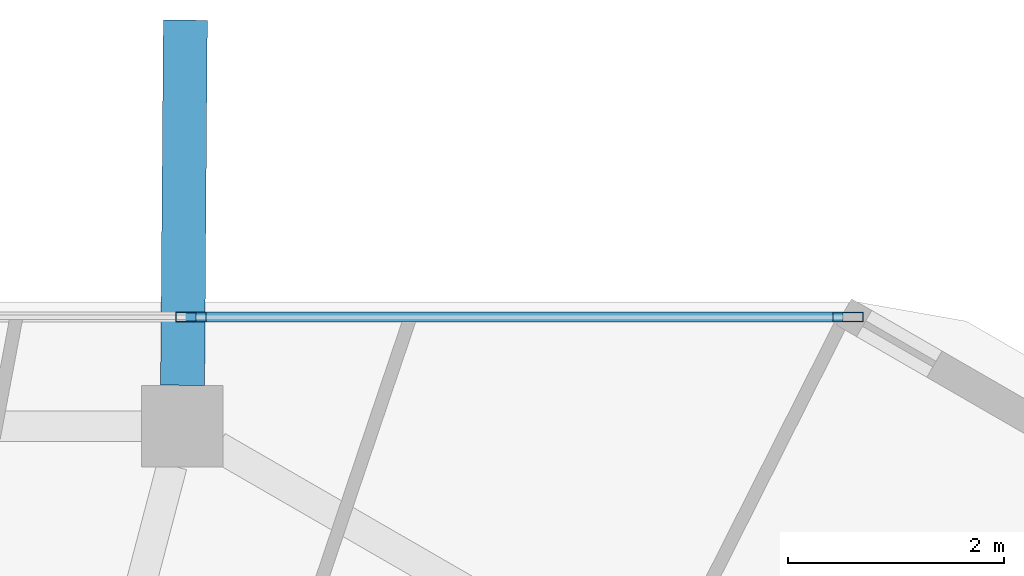
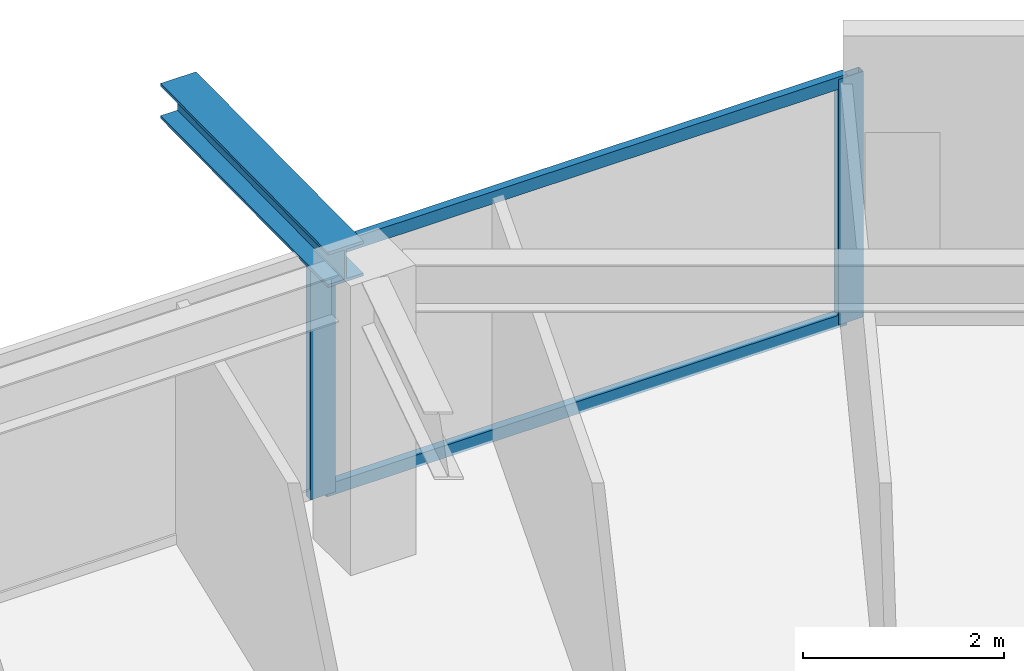
# One storey, part 13 of 23: 4 members, 1 beam, 1 element without a shape of its own.
"""IFC4 building model written with IfcOpenShell, lengths in metres."""

from ifc_helpers import new_model, si_unit, direction, frame, origin, origin_2d, place, context, subcontext, project, spatial, hollow_rectangle, i_section, extrude, material, material_profile, profile_set, type_object, element, aggregate, save


model = new_model("IFC4")

# Units and contexts
model_context = context("Model", 3, precision=1e-05, world=origin(), true_north=direction((0.0, 1.0)))
body_context = subcontext(model_context, "Body", "Model", "MODEL_VIEW")
ifc_project = project(units=[si_unit("LENGTHUNIT", "METRE"), si_unit("AREAUNIT", "SQUARE_METRE"), si_unit("VOLUMEUNIT", "CUBIC_METRE"), si_unit("PLANEANGLEUNIT", "RADIAN"), si_unit("MASSUNIT", "GRAM", prefix="KILO")], contexts=[model_context])

# Site, building, storey
site_placement = place(None, origin())
site = spatial("IfcSite", under=ifc_project, at=site_placement, CompositionType="ELEMENT")
building_placement = place(site_placement, origin())
building = spatial("IfcBuilding", under=site, at=building_placement, Name="Zuhravey Tower", CompositionType="ELEMENT")
storey_placement = place(building_placement, frame((0.0, 0.0, 350.0)))
storey = spatial("IfcBuildingStorey", under=building, at=storey_placement, Name="L89", CompositionType="ELEMENT", Elevation=350.0)

# Curtain wall, members
ifc_material_1 = material(Name="Thermally broken anodised aluminium", Category="aluminium")
curtain_wall_type = type_object("IfcCurtainWallType", Name="Zone 3-4 High-Rise Curtain Wall CW4", PredefinedType="NOTDEFINED", material=ifc_material_1)
curtain_wall_placement = place(storey_placement, origin())
curtain_wall = element("IfcCurtainWall", 1, at=curtain_wall_placement, inside=storey, type_object=curtain_wall_type, Name="L89 CW4 CW-L89-F2-1", PredefinedType="NOTDEFINED")
ifc_material_2 = material(Name="Anodised aluminium", Category="aluminium")
ifc_material_profile_1 = material_profile(ifc_material_2, hollow_rectangle(XDim=0.090087890625, YDim=0.284912109375, WallThickness=0.0048828125, at=origin_2d()), Name="ALU-RHS-90x285x5")
ifc_profile_set_1 = profile_set([ifc_material_profile_1], Name="Anodised aluminium")
member_type_1 = type_object("IfcMemberType", Name="Curtain-Wall Mullion 90x180", PredefinedType="MULLION", material=ifc_profile_set_1)
member_1_placement = place(storey_placement, frame((42.11962890625, 56.07421875, 0.0), z_axis=(0.0, 0.0, 1.0), x_axis=(0.0, 1.0, 0.0)))
member_1 = element("IfcMember", 2, at=member_1_placement, type_object=member_type_1, Name="CW4 mullion 4", PredefinedType="MULLION", context=body_context, shape_type="SweptSolid", body=[
    extrude(hollow_rectangle(XDim=0.090087890625, YDim=0.284912109375, WallThickness=0.0048828125, at=origin_2d()), origin(), (0.0, 0.0, 1.0), 2.987060546875),
])
member_2_placement = place(storey_placement, frame((48.1943359375, 56.07421875, 0.0), z_axis=(0.0, 0.0, 1.0), x_axis=(0.0, 1.0, 0.0)))
member_2 = element("IfcMember", 3, at=member_2_placement, type_object=member_type_1, Name="CW4 mullion 5", PredefinedType="MULLION", context=body_context, shape_type="SweptSolid", body=[
    extrude(hollow_rectangle(XDim=0.090087890625, YDim=0.284912109375, WallThickness=0.0048828125, at=origin_2d()), origin(), (0.0, 0.0, 1.0), 2.987060546875),
])
ifc_material_profile_2 = material_profile(ifc_material_2, hollow_rectangle(XDim=0.090087890625, YDim=0.14990234375, WallThickness=0.0048828125, at=origin_2d()), Name="ALU-RHS-90x150x5")
ifc_profile_set_2 = profile_set([ifc_material_profile_2], Name="Anodised aluminium")
member_type_2 = type_object("IfcMemberType", Name="Curtain-Wall Transom 90x150", PredefinedType="USERDEFINED", material=ifc_profile_set_2)
member_3_placement = place(storey_placement, frame((42.16455078125, 56.07421875, 0.044921875), z_axis=(1.0, 0.0, 0.0), x_axis=(0.0, 1.0, 0.0)))
member_3 = element("IfcMember", 4, at=member_3_placement, type_object=member_type_2, Name="CW4 transom 4.1", ObjectType="TRANSOM", PredefinedType="USERDEFINED", context=body_context, shape_type="SweptSolid", body=[
    extrude(hollow_rectangle(XDim=0.090087890625, YDim=0.14990234375, WallThickness=0.0048828125, at=origin_2d()), origin(), (0.0, 0.0, 1.0), 5.98486328125),
])
member_4_placement = place(storey_placement, frame((42.16455078125, 56.07421875, 2.94189453125), z_axis=(1.0, 0.0, 0.0), x_axis=(0.0, 1.0, 0.0)))
member_4 = element("IfcMember", 5, at=member_4_placement, type_object=member_type_2, Name="CW4 transom 4.2", ObjectType="TRANSOM", PredefinedType="USERDEFINED", context=body_context, shape_type="SweptSolid", body=[
    extrude(hollow_rectangle(XDim=0.090087890625, YDim=0.14990234375, WallThickness=0.0048828125, at=origin_2d()), origin(), (0.0, 0.0, 1.0), 5.98486328125),
])
aggregate(curtain_wall, [member_1, member_2, member_3, member_4])

# Beam
ifc_material_3 = material(Name="Steel SM460", Category="steel")
ifc_material_profile_3 = material_profile(ifc_material_3, i_section(OverallWidth=0.406982421875, OverallDepth=0.427978515625, WebThickness=0.02001953125, FlangeThickness=0.034912109375, at=origin_2d()), Name="H-428x407x20x35")
ifc_profile_set_3 = profile_set([ifc_material_profile_3], Name="Steel SM460")
beam_type = type_object("IfcBeamType", Name="Exoskeleton Node Tie Beam H428x407", PredefinedType="BEAM", material=ifc_profile_set_3)
beam_placement = place(storey_placement, frame((42.04150390625, 55.443115234375, 3.200927734375), z_axis=(0.007665380805, 0.999970620537, 0.0), x_axis=(-0.999970620537, 0.007665380805, 0.0)))
element("IfcBeam", 6, at=beam_placement, inside=storey, type_object=beam_type, Name="L89 Exoskeleton Node Tie NT1-03", PredefinedType="BEAM", context=body_context, shape_type="SweptSolid", body=[
    extrude(i_section(OverallWidth=0.406982421875, OverallDepth=0.427978515625, WebThickness=0.02001953125, FlangeThickness=0.034912109375, at=origin_2d()), origin(), (0.0, 0.0, 1.0), 3.3759765625),
])

save(model, "model.ifc")
